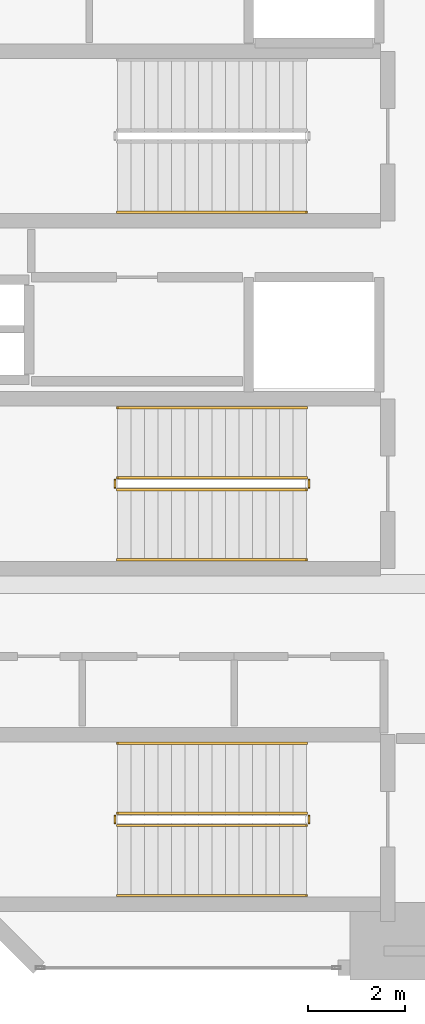
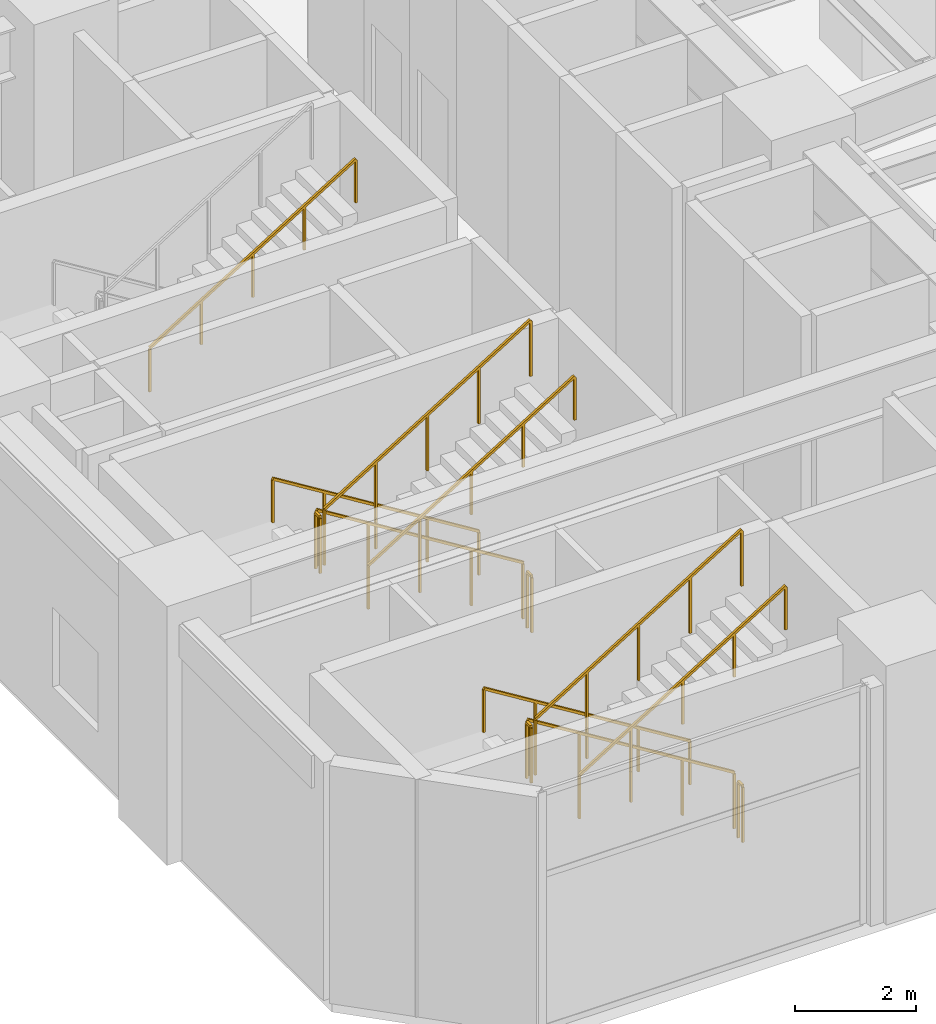
# One storey, part 26 of 29: 13 railings.
"""IFC4 building model written with IfcOpenShell, lengths in metres."""

from ifc_helpers import new_model, si_unit, direction, frame, origin, origin_2d, place, context, subcontext, project, spatial, rectangle, extrude, material, type_object, element, save


model = new_model("IFC4")

# Units and contexts
model_context = context("Model", 3, precision=1e-05, world=origin(), true_north=direction((0.0, 1.0)))
body_context = subcontext(model_context, "Body", "Model", "MODEL_VIEW")
ifc_project = project(units=[si_unit("LENGTHUNIT", "METRE"), si_unit("AREAUNIT", "SQUARE_METRE"), si_unit("VOLUMEUNIT", "CUBIC_METRE"), si_unit("PLANEANGLEUNIT", "RADIAN"), si_unit("MASSUNIT", "GRAM", prefix="KILO")], contexts=[model_context])

# Site, building, storey
site_placement = place(None, origin())
site = spatial("IfcSite", under=ifc_project, at=site_placement, CompositionType="ELEMENT")
building_placement = place(site_placement, origin())
building = spatial("IfcBuilding", under=site, at=building_placement, Name="Mawjaban Terraces University", CompositionType="ELEMENT")
storey_placement = place(building_placement, frame((0.0, 0.0, 20.800048828125)))
storey = spatial("IfcBuildingStorey", under=building, at=storey_placement, Name="L04", CompositionType="ELEMENT", Elevation=20.800048828125)

# Railings
ifc_material_1 = material(Name="Brushed stainless steel 316", Category="steel")
railing_type_1 = type_object("IfcRailingType", Name="StairWallHandrail_900", PredefinedType="HANDRAIL", material=ifc_material_1)
railing_1_placement = place(storey_placement, frame((30.050048828125, 4.64990234375, 0.17333984375)))
element("IfcRailing", 1, at=railing_1_placement, inside=storey, type_object=railing_type_1, Name="L04 ST-1 stair handrail 1", PredefinedType="HANDRAIL", context=body_context, shape_type="SweptSolid", body=[
    extrude(rectangle(XDim=0.048095703125, YDim=0.048095703125, at=origin_2d()), frame((0.0, 0.0, 0.8759765625), z_axis=(-0.850289973577, 0.0, 0.526314507528), x_axis=(0.0, -1.0, 0.0)), (0.0, 0.0, 1.0), 4.6103515625),
    extrude(rectangle(XDim=0.0419921875, YDim=0.0419921875, at=origin_2d()), origin(), (0.0, 0.0, 1.0), 0.851806640625),
    extrude(rectangle(XDim=0.0419921875, YDim=0.0419921875, at=origin_2d()), frame((-0.97998046875, 0.0, 0.606689453125)), (0.0, 0.0, 1.0), 0.851806640625),
    extrude(rectangle(XDim=0.0419921875, YDim=0.0419921875, at=origin_2d()), frame((-1.9599609375, 0.0, 1.21337890625)), (0.0, 0.0, 1.0), 0.851806640625),
    extrude(rectangle(XDim=0.0419921875, YDim=0.0419921875, at=origin_2d()), frame((-2.940185546875, 0.0, 1.81982421875)), (0.0, 0.0, 1.0), 0.851806640625),
    extrude(rectangle(XDim=0.0419921875, YDim=0.0419921875, at=origin_2d()), frame((-3.920166015625, 0.0, 2.426513671875)), (0.0, 0.0, 1.0), 0.851806640625),
])
for number, where, name in (
    (2, (26.1298828125, 1.5, 2.773193359375), "L04 ST-1 stair handrail 2"),
    (3, (26.1298828125, 15.64990234375, 2.773193359375), "L04 ST-2 stair handrail 2"),
):
    element("IfcRailing", number, at=place(storey_placement, frame(where)), inside=storey, type_object=railing_type_1, Name=name, PredefinedType="HANDRAIL", context=body_context, shape_type="SweptSolid", body=[
        extrude(rectangle(XDim=0.048095703125, YDim=0.048095703125, at=origin_2d()), frame((0.0, 0.0, 0.8759765625), z_axis=(0.850266275192, 0.0, 0.526352791643), x_axis=(0.0, 1.0, 0.0)), (0.0, 0.0, 1.0), 4.610595703125),
        extrude(rectangle(XDim=0.0419921875, YDim=0.0419921875, at=origin_2d()), origin(), (0.0, 0.0, 1.0), 0.851806640625),
        extrude(rectangle(XDim=0.0419921875, YDim=0.0419921875, at=origin_2d()), frame((0.97998046875, 0.0, 0.606689453125)), (0.0, 0.0, 1.0), 0.851806640625),
        extrude(rectangle(XDim=0.0419921875, YDim=0.0419921875, at=origin_2d()), frame((1.9599609375, 0.0, 1.21337890625)), (0.0, 0.0, 1.0), 0.851806640625),
        extrude(rectangle(XDim=0.0419921875, YDim=0.0419921875, at=origin_2d()), frame((2.940185546875, 0.0, 1.820068359375)), (0.0, 0.0, 1.0), 0.851806640625),
        extrude(rectangle(XDim=0.0419921875, YDim=0.0419921875, at=origin_2d()), frame((3.920166015625, 0.0, 2.4267578125)), (0.0, 0.0, 1.0), 0.851806640625),
    ])
railing_2_placement = place(storey_placement, frame((30.050048828125, 11.60009765625, 0.17333984375)))
element("IfcRailing", 4, at=railing_2_placement, inside=storey, type_object=railing_type_1, Name="L04 ST-3 stair handrail 1", PredefinedType="HANDRAIL", context=body_context, shape_type="SweptSolid", body=[
    extrude(rectangle(XDim=0.048095703125, YDim=0.048095703125, at=origin_2d()), frame((0.0, 0.0, 0.8759765625), z_axis=(-0.850289973577, 0.0, 0.526314507528), x_axis=(0.0, -1.0, 0.0)), (0.0, 0.0, 1.0), 4.6103515625),
    extrude(rectangle(XDim=0.0419921875, YDim=0.0419921875, at=origin_2d()), origin(), (0.0, 0.0, 1.0), 0.851806640625),
    extrude(rectangle(XDim=0.0419921875, YDim=0.0419921875, at=origin_2d()), frame((-0.97998046875, 0.0, 0.606689453125)), (0.0, 0.0, 1.0), 0.851806640625),
    extrude(rectangle(XDim=0.0419921875, YDim=0.0419921875, at=origin_2d()), frame((-1.9599609375, 0.0, 1.21337890625)), (0.0, 0.0, 1.0), 0.851806640625),
    extrude(rectangle(XDim=0.0419921875, YDim=0.0419921875, at=origin_2d()), frame((-2.940185546875, 0.0, 1.81982421875)), (0.0, 0.0, 1.0), 0.851806640625),
    extrude(rectangle(XDim=0.0419921875, YDim=0.0419921875, at=origin_2d()), frame((-3.920166015625, 0.0, 2.426513671875)), (0.0, 0.0, 1.0), 0.851806640625),
])
railing_3_placement = place(storey_placement, frame((26.1298828125, 8.449951171875, 2.773193359375)))
element("IfcRailing", 5, at=railing_3_placement, inside=storey, type_object=railing_type_1, Name="L04 ST-3 stair handrail 2", PredefinedType="HANDRAIL", context=body_context, shape_type="SweptSolid", body=[
    extrude(rectangle(XDim=0.048095703125, YDim=0.048095703125, at=origin_2d()), frame((0.0, 0.0, 0.8759765625), z_axis=(0.850266275192, 0.0, 0.526352791643), x_axis=(0.0, 1.0, 0.0)), (0.0, 0.0, 1.0), 4.610595703125),
    extrude(rectangle(XDim=0.0419921875, YDim=0.0419921875, at=origin_2d()), origin(), (0.0, 0.0, 1.0), 0.851806640625),
    extrude(rectangle(XDim=0.0419921875, YDim=0.0419921875, at=origin_2d()), frame((0.97998046875, 0.0, 0.606689453125)), (0.0, 0.0, 1.0), 0.851806640625),
    extrude(rectangle(XDim=0.0419921875, YDim=0.0419921875, at=origin_2d()), frame((1.9599609375, 0.0, 1.21337890625)), (0.0, 0.0, 1.0), 0.851806640625),
    extrude(rectangle(XDim=0.0419921875, YDim=0.0419921875, at=origin_2d()), frame((2.940185546875, 0.0, 1.820068359375)), (0.0, 0.0, 1.0), 0.851806640625),
    extrude(rectangle(XDim=0.0419921875, YDim=0.0419921875, at=origin_2d()), frame((3.920166015625, 0.0, 2.4267578125)), (0.0, 0.0, 1.0), 0.851806640625),
])
ifc_material_2 = material(Name="Galvanised painted steel S355", Category="steel")
railing_type_2 = type_object("IfcRailingType", Name="StairWellGuard_1150", PredefinedType="BALUSTRADE", material=ifc_material_2)
railing_4_placement = place(storey_placement, frame((30.050048828125, 3.199951171875, 0.17333984375)))
element("IfcRailing", 6, at=railing_4_placement, inside=storey, type_object=railing_type_2, Name="L04 ST-1 stair guard 1", PredefinedType="BALUSTRADE", context=body_context, shape_type="SweptSolid", body=[
    extrude(rectangle(XDim=0.048095703125, YDim=0.048095703125, at=origin_2d()), frame((0.0, 0.0, 1.1259765625), z_axis=(-0.850289973577, 0.0, 0.526314507528), x_axis=(0.0, -1.0, 0.0)), (0.0, 0.0, 1.0), 4.6103515625),
    extrude(rectangle(XDim=0.0419921875, YDim=0.0419921875, at=origin_2d()), origin(), (0.0, 0.0, 1.0), 1.101806640625),
    extrude(rectangle(XDim=0.0419921875, YDim=0.0419921875, at=origin_2d()), frame((-0.97998046875, 0.0, 0.606689453125)), (0.0, 0.0, 1.0), 1.101806640625),
    extrude(rectangle(XDim=0.0419921875, YDim=0.0419921875, at=origin_2d()), frame((-1.9599609375, 0.0, 1.21337890625)), (0.0, 0.0, 1.0), 1.101806640625),
    extrude(rectangle(XDim=0.0419921875, YDim=0.0419921875, at=origin_2d()), frame((-2.940185546875, 0.0, 1.81982421875)), (0.0, 0.0, 1.0), 1.101806640625),
    extrude(rectangle(XDim=0.0419921875, YDim=0.0419921875, at=origin_2d()), frame((-3.920166015625, 0.0, 2.426513671875)), (0.0, 0.0, 1.0), 1.101806640625),
])
railing_5_placement = place(storey_placement, frame((26.080078125, 3.14990234375, 2.599853515625)))
element("IfcRailing", 7, at=railing_5_placement, inside=storey, type_object=railing_type_2, Name="L04 ST-1 stair guard 2", PredefinedType="BALUSTRADE", context=body_context, shape_type="SweptSolid", body=[
    extrude(rectangle(XDim=0.048095703125, YDim=0.048095703125, at=origin_2d()), frame((0.0, 0.0, 1.1259765625), z_axis=(0.0, -1.0, 0.0), x_axis=(1.0, 0.0, 0.0)), (0.0, 0.0, 1.0), 0.14990234375),
    extrude(rectangle(XDim=0.0419921875, YDim=0.0419921875, at=origin_2d()), origin(), (0.0, 0.0, 1.0), 1.101806640625),
    extrude(rectangle(XDim=0.0419921875, YDim=0.0419921875, at=origin_2d()), frame((0.0, -0.14990234375, 0.0)), (0.0, 0.0, 1.0), 1.101806640625),
])
railing_6_placement = place(storey_placement, frame((26.1298828125, 2.949951171875, 2.773193359375)))
element("IfcRailing", 8, at=railing_6_placement, inside=storey, type_object=railing_type_2, Name="L04 ST-1 stair guard 3", PredefinedType="BALUSTRADE", context=body_context, shape_type="SweptSolid", body=[
    extrude(rectangle(XDim=0.048095703125, YDim=0.048095703125, at=origin_2d()), frame((0.0, 0.0, 1.1259765625), z_axis=(0.850266275192, 0.0, 0.526352791643), x_axis=(0.0, 1.0, 0.0)), (0.0, 0.0, 1.0), 4.610595703125),
    extrude(rectangle(XDim=0.0419921875, YDim=0.0419921875, at=origin_2d()), origin(), (0.0, 0.0, 1.0), 1.101806640625),
    extrude(rectangle(XDim=0.0419921875, YDim=0.0419921875, at=origin_2d()), frame((0.97998046875, 0.0, 0.606689453125)), (0.0, 0.0, 1.0), 1.101806640625),
    extrude(rectangle(XDim=0.0419921875, YDim=0.0419921875, at=origin_2d()), frame((1.9599609375, 0.0, 1.21337890625)), (0.0, 0.0, 1.0), 1.101806640625),
    extrude(rectangle(XDim=0.0419921875, YDim=0.0419921875, at=origin_2d()), frame((2.940185546875, 0.0, 1.820068359375)), (0.0, 0.0, 1.0), 1.101806640625),
    extrude(rectangle(XDim=0.0419921875, YDim=0.0419921875, at=origin_2d()), frame((3.920166015625, 0.0, 2.4267578125)), (0.0, 0.0, 1.0), 1.101806640625),
])
railing_7_placement = place(storey_placement, frame((30.10009765625, 3.14990234375, 0.0)))
element("IfcRailing", 9, at=railing_7_placement, inside=storey, type_object=railing_type_2, Name="L04 ST-1 stair guard 4", PredefinedType="BALUSTRADE", context=body_context, shape_type="SweptSolid", body=[
    extrude(rectangle(XDim=0.048095703125, YDim=0.048095703125, at=origin_2d()), frame((0.0, 0.0, 1.1259765625), z_axis=(0.0, -1.0, 0.0), x_axis=(1.0, 0.0, 0.0)), (0.0, 0.0, 1.0), 0.14990234375),
    extrude(rectangle(XDim=0.0419921875, YDim=0.0419921875, at=origin_2d()), origin(), (0.0, 0.0, 1.0), 1.101806640625),
    extrude(rectangle(XDim=0.0419921875, YDim=0.0419921875, at=origin_2d()), frame((0.0, -0.14990234375, 0.0)), (0.0, 0.0, 1.0), 1.101806640625),
])
railing_8_placement = place(storey_placement, frame((30.050048828125, 10.14990234375, 0.17333984375)))
element("IfcRailing", 10, at=railing_8_placement, inside=storey, type_object=railing_type_2, Name="L04 ST-3 stair guard 1", PredefinedType="BALUSTRADE", context=body_context, shape_type="SweptSolid", body=[
    extrude(rectangle(XDim=0.048095703125, YDim=0.048095703125, at=origin_2d()), frame((0.0, 0.0, 1.1259765625), z_axis=(-0.850289973577, 0.0, 0.526314507528), x_axis=(0.0, -1.0, 0.0)), (0.0, 0.0, 1.0), 4.6103515625),
    extrude(rectangle(XDim=0.0419921875, YDim=0.0419921875, at=origin_2d()), origin(), (0.0, 0.0, 1.0), 1.101806640625),
    extrude(rectangle(XDim=0.0419921875, YDim=0.0419921875, at=origin_2d()), frame((-0.97998046875, 0.0, 0.606689453125)), (0.0, 0.0, 1.0), 1.101806640625),
    extrude(rectangle(XDim=0.0419921875, YDim=0.0419921875, at=origin_2d()), frame((-1.9599609375, 0.0, 1.21337890625)), (0.0, 0.0, 1.0), 1.101806640625),
    extrude(rectangle(XDim=0.0419921875, YDim=0.0419921875, at=origin_2d()), frame((-2.940185546875, 0.0, 1.81982421875)), (0.0, 0.0, 1.0), 1.101806640625),
    extrude(rectangle(XDim=0.0419921875, YDim=0.0419921875, at=origin_2d()), frame((-3.920166015625, 0.0, 2.426513671875)), (0.0, 0.0, 1.0), 1.101806640625),
])
railing_9_placement = place(storey_placement, frame((26.080078125, 10.10009765625, 2.599853515625)))
element("IfcRailing", 11, at=railing_9_placement, inside=storey, type_object=railing_type_2, Name="L04 ST-3 stair guard 2", PredefinedType="BALUSTRADE", context=body_context, shape_type="SweptSolid", body=[
    extrude(rectangle(XDim=0.048095703125, YDim=0.048095703125, at=origin_2d()), frame((0.0, 0.0, 1.1259765625), z_axis=(0.0, -1.0, 0.0), x_axis=(1.0, 0.0, 0.0)), (0.0, 0.0, 1.0), 0.150146484375),
    extrude(rectangle(XDim=0.0419921875, YDim=0.0419921875, at=origin_2d()), origin(), (0.0, 0.0, 1.0), 1.101806640625),
    extrude(rectangle(XDim=0.0419921875, YDim=0.0419921875, at=origin_2d()), frame((0.0, -0.150146484375, 0.0)), (0.0, 0.0, 1.0), 1.101806640625),
])
railing_10_placement = place(storey_placement, frame((26.1298828125, 9.89990234375, 2.773193359375)))
element("IfcRailing", 12, at=railing_10_placement, inside=storey, type_object=railing_type_2, Name="L04 ST-3 stair guard 3", PredefinedType="BALUSTRADE", context=body_context, shape_type="SweptSolid", body=[
    extrude(rectangle(XDim=0.048095703125, YDim=0.048095703125, at=origin_2d()), frame((0.0, 0.0, 1.1259765625), z_axis=(0.850266275192, 0.0, 0.526352791643), x_axis=(0.0, 1.0, 0.0)), (0.0, 0.0, 1.0), 4.610595703125),
    extrude(rectangle(XDim=0.0419921875, YDim=0.0419921875, at=origin_2d()), origin(), (0.0, 0.0, 1.0), 1.101806640625),
    extrude(rectangle(XDim=0.0419921875, YDim=0.0419921875, at=origin_2d()), frame((0.97998046875, 0.0, 0.606689453125)), (0.0, 0.0, 1.0), 1.101806640625),
    extrude(rectangle(XDim=0.0419921875, YDim=0.0419921875, at=origin_2d()), frame((1.9599609375, 0.0, 1.21337890625)), (0.0, 0.0, 1.0), 1.101806640625),
    extrude(rectangle(XDim=0.0419921875, YDim=0.0419921875, at=origin_2d()), frame((2.940185546875, 0.0, 1.820068359375)), (0.0, 0.0, 1.0), 1.101806640625),
    extrude(rectangle(XDim=0.0419921875, YDim=0.0419921875, at=origin_2d()), frame((3.920166015625, 0.0, 2.4267578125)), (0.0, 0.0, 1.0), 1.101806640625),
])
railing_11_placement = place(storey_placement, frame((30.10009765625, 10.10009765625, 0.0)))
element("IfcRailing", 13, at=railing_11_placement, inside=storey, type_object=railing_type_2, Name="L04 ST-3 stair guard 4", PredefinedType="BALUSTRADE", context=body_context, shape_type="SweptSolid", body=[
    extrude(rectangle(XDim=0.048095703125, YDim=0.048095703125, at=origin_2d()), frame((0.0, 0.0, 1.1259765625), z_axis=(0.0, -1.0, 0.0), x_axis=(1.0, 0.0, 0.0)), (0.0, 0.0, 1.0), 0.150146484375),
    extrude(rectangle(XDim=0.0419921875, YDim=0.0419921875, at=origin_2d()), origin(), (0.0, 0.0, 1.0), 1.101806640625),
    extrude(rectangle(XDim=0.0419921875, YDim=0.0419921875, at=origin_2d()), frame((0.0, -0.150146484375, 0.0)), (0.0, 0.0, 1.0), 1.101806640625),
])

save(model, "model.ifc")
